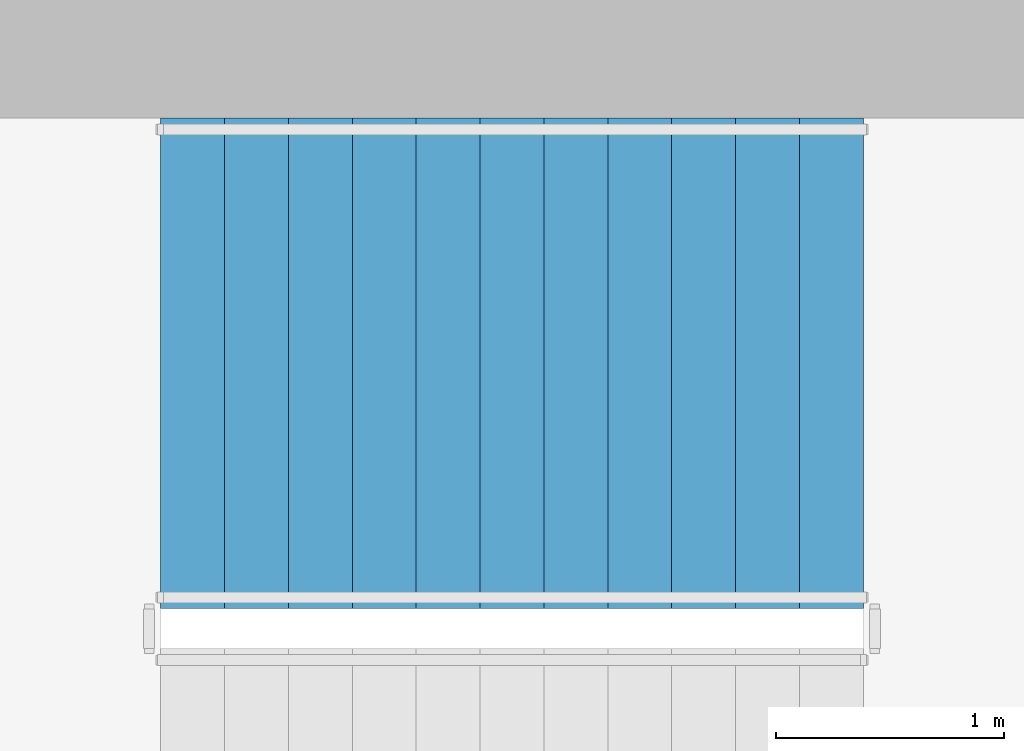
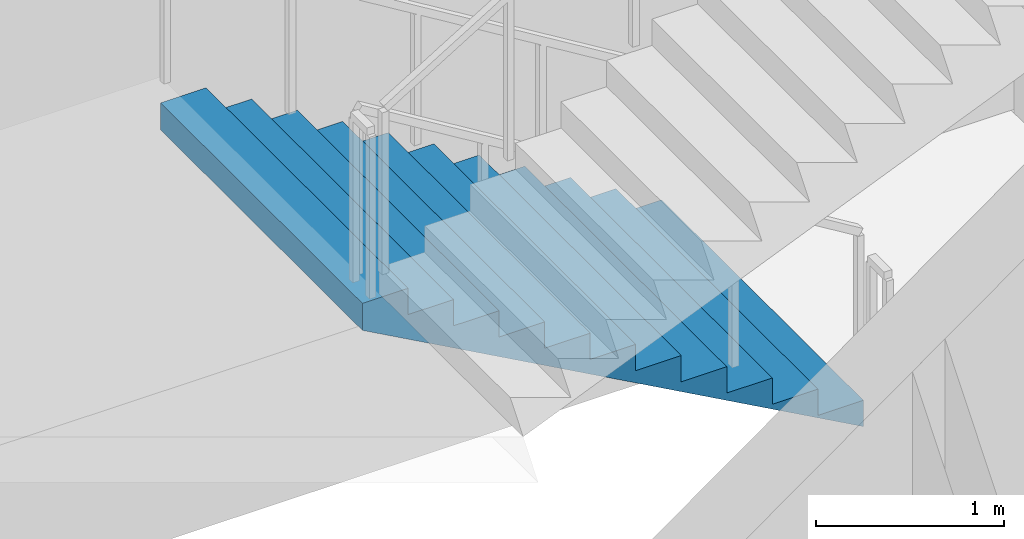
# One storey, part 9 of 15: 1 stair flight, 1 element without a shape of its own.
"""IFC4 building model written with IfcOpenShell, lengths in metres."""

from ifc_helpers import new_model, si_unit, direction, frame, origin, place, context, subcontext, project, spatial, triangles, material, type_object, element, aggregate, save


model = new_model("IFC4")

# Units and contexts
model_context = context("Model", 3, precision=1e-05, world=origin(), true_north=direction((0.0, 1.0)))
body_context = subcontext(model_context, "Body", "Model", "MODEL_VIEW")
ifc_project = project(units=[si_unit("LENGTHUNIT", "METRE"), si_unit("AREAUNIT", "SQUARE_METRE"), si_unit("VOLUMEUNIT", "CUBIC_METRE"), si_unit("PLANEANGLEUNIT", "RADIAN"), si_unit("MASSUNIT", "GRAM", prefix="KILO")], contexts=[model_context])

# Site, building, storey
site_placement = place(None, origin())
site = spatial("IfcSite", under=ifc_project, at=site_placement, CompositionType="ELEMENT")
building_placement = place(site_placement, origin())
building = spatial("IfcBuilding", under=site, at=building_placement, Name="Cypress Arch Tower", CompositionType="ELEMENT")
storey_placement = place(building_placement, frame((0.0, 0.0, 176.89990234375)))
storey = spatial("IfcBuildingStorey", under=building, at=storey_placement, Name="L38", CompositionType="ELEMENT", Elevation=176.89990234375)

# Stair, stair flight
ifc_material_1 = material(Name="Concrete C40/50", Category="concrete")
stair_type = type_object("IfcStairType", Name="Exit stair ES1708-215", PredefinedType="HALF_TURN_STAIR", material=ifc_material_1)
stair_placement = place(storey_placement, origin())
stair = element("IfcStair", 1, at=stair_placement, inside=storey, type_object=stair_type, Name="L38 Exit stair B", PredefinedType="HALF_TURN_STAIR")
ifc_material_2 = material(Name="Concrete C40/50", Category="concrete")
stair_flight_type = type_object("IfcStairFlightType", Name="Exit stair flight ES1708-215", PredefinedType="STRAIGHT", material=ifc_material_2)
stair_flight_placement = place(storey_placement, frame((-22.27490234375, 13.72509765625, 0.0), z_axis=(0.0, 0.0, 1.0), x_axis=(-1.0, 0.0, 0.0)))
stair_flight = element("IfcStairFlight", 2, at=stair_flight_placement, type_object=stair_flight_type, Name="B flight 1", NumberOfRisers=12, NumberOfTreads=11, PredefinedType="STRAIGHT", RiserHeight=0.170833333, TreadLength=0.28, context=body_context, shape_type="Tessellation", body=[
    triangles([(0.0, -1.074951171875, 0.0), (0.000244140625, -1.074951171875, 0.01904296875), (0.000244140625, -1.074951171875, 0.0380859375), (0.00048828125, -1.074951171875, 0.056884765625), (0.00048828125, -1.074951171875, 0.075927734375), (0.00048828125, -1.074951171875, 0.094970703125), (0.00048828125, -1.074951171875, 0.114013671875), (0.000244140625, -1.074951171875, 0.1328125), (0.000244140625, -1.074951171875, 0.15185546875), (0.0, -1.074951171875, 0.1708984375), (0.280029296875, -1.074951171875, 0.1708984375), (0.280029296875, -1.074951171875, 0.341552734375), (0.56005859375, -1.074951171875, 0.341552734375), (0.56005859375, -1.074951171875, 0.512451171875), (0.840087890625, -1.074951171875, 0.512451171875), (0.840087890625, -1.074951171875, 0.683349609375), (1.1201171875, -1.074951171875, 0.683349609375), (1.1201171875, -1.074951171875, 0.854248046875), (1.39990234375, -1.074951171875, 0.854248046875), (1.39990234375, -1.074951171875, 1.02490234375), (1.679931640625, -1.074951171875, 1.02490234375), (1.679931640625, -1.074951171875, 1.19580078125), (1.9599609375, -1.074951171875, 1.19580078125), (1.9599609375, -1.074951171875, 1.36669921875), (2.239990234375, -1.074951171875, 1.36669921875), (2.239990234375, -1.074951171875, 1.53759765625), (2.52001953125, -1.074951171875, 1.53759765625), (2.52001953125, -1.074951171875, 1.708251953125), (2.800048828125, -1.074951171875, 1.708251953125), (2.800048828125, -1.074951171875, 1.879150390625), (3.080078125, -1.074951171875, 1.879150390625), (3.079833984375, -1.074951171875, 1.859619140625), (3.079833984375, -1.074951171875, 1.840087890625), (3.07958984375, -1.074951171875, 1.820556640625), (3.07958984375, -1.074951171875, 1.801025390625), (3.07958984375, -1.074951171875, 1.78173828125), (3.07958984375, -1.074951171875, 1.76220703125), (3.079833984375, -1.074951171875, 1.74267578125), (3.079833984375, -1.074951171875, 1.72314453125), (3.080078125, -1.074951171875, 1.70361328125), (3.080078125, 1.074951171875, 1.70361328125), (3.079833984375, 1.074951171875, 1.72314453125), (3.079833984375, 1.074951171875, 1.74267578125), (3.07958984375, 1.074951171875, 1.76220703125), (3.07958984375, 1.074951171875, 1.78173828125), (3.07958984375, 1.074951171875, 1.801025390625), (3.07958984375, 1.074951171875, 1.820556640625), (3.079833984375, 1.074951171875, 1.840087890625), (3.079833984375, 1.074951171875, 1.859619140625), (3.080078125, 1.074951171875, 1.879150390625), (2.800048828125, 1.074951171875, 1.879150390625), (2.800048828125, 1.074951171875, 1.708251953125), (2.52001953125, 1.074951171875, 1.708251953125), (2.52001953125, 1.074951171875, 1.53759765625), (2.239990234375, 1.074951171875, 1.53759765625), (2.239990234375, 1.074951171875, 1.36669921875), (1.9599609375, 1.074951171875, 1.36669921875), (1.9599609375, 1.074951171875, 1.19580078125), (1.679931640625, 1.074951171875, 1.19580078125), (1.679931640625, 1.074951171875, 1.02490234375), (1.39990234375, 1.074951171875, 1.02490234375), (1.39990234375, 1.074951171875, 0.854248046875), (1.1201171875, 1.074951171875, 0.854248046875), (1.1201171875, 1.074951171875, 0.683349609375), (0.840087890625, 1.074951171875, 0.683349609375), (0.840087890625, 1.074951171875, 0.512451171875), (0.56005859375, 1.074951171875, 0.512451171875), (0.56005859375, 1.074951171875, 0.341552734375), (0.280029296875, 1.074951171875, 0.341552734375), (0.280029296875, 1.074951171875, 0.1708984375), (0.0, 1.074951171875, 0.1708984375), (0.000244140625, 1.074951171875, 0.15185546875), (0.000244140625, 1.074951171875, 0.1328125), (0.00048828125, 1.074951171875, 0.114013671875), (0.00048828125, 1.074951171875, 0.094970703125), (0.00048828125, 1.074951171875, 0.075927734375), (0.00048828125, 1.074951171875, 0.056884765625), (0.000244140625, 1.074951171875, 0.0380859375), (0.000244140625, 1.074951171875, 0.01904296875), (0.0, 1.074951171875, 0.0)], [[40, 39, 30], [39, 38, 30], [38, 37, 30], [37, 36, 30], [36, 35, 30], [35, 34, 30], [34, 33, 30], [33, 32, 30], [32, 31, 30], [19, 18, 17], [27, 26, 25], [25, 24, 23], [23, 22, 21], [17, 16, 15], [15, 14, 13], [10, 9, 11], [9, 8, 11], [8, 7, 11], [7, 6, 11], [6, 5, 11], [5, 4, 11], [4, 3, 11], [3, 2, 11], [2, 1, 11], [29, 28, 27], [21, 20, 19], [13, 12, 11], [40, 30, 29], [40, 29, 27], [40, 27, 25], [40, 25, 23], [40, 23, 21], [40, 21, 19], [40, 19, 17], [40, 17, 15], [40, 15, 13], [1, 40, 13], [13, 11, 1], [41, 51, 42], [42, 51, 43], [43, 51, 44], [44, 51, 45], [45, 51, 46], [46, 51, 47], [47, 51, 48], [48, 51, 49], [49, 51, 50], [62, 64, 63], [54, 56, 55], [56, 58, 57], [58, 60, 59], [64, 66, 65], [66, 68, 67], [71, 70, 72], [72, 70, 73], [73, 70, 74], [74, 70, 75], [75, 70, 76], [76, 70, 77], [77, 70, 78], [78, 70, 79], [79, 70, 80], [52, 54, 53], [60, 62, 61], [68, 70, 69], [41, 52, 51], [41, 54, 52], [41, 56, 54], [41, 58, 56], [41, 60, 58], [41, 62, 60], [41, 64, 62], [41, 66, 64], [41, 68, 66], [80, 68, 41], [68, 80, 70], [41, 42, 39], [41, 39, 40], [42, 43, 38], [42, 38, 39], [43, 44, 37], [43, 37, 38], [44, 45, 36], [44, 36, 37], [45, 46, 35], [45, 35, 36], [46, 47, 34], [46, 34, 35], [47, 48, 33], [47, 33, 34], [48, 49, 32], [48, 32, 33], [49, 50, 31], [49, 31, 32], [50, 51, 30], [50, 30, 31], [51, 52, 29], [51, 29, 30], [52, 53, 28], [52, 28, 29], [53, 54, 27], [53, 27, 28], [54, 55, 26], [54, 26, 27], [55, 56, 25], [55, 25, 26], [56, 57, 24], [56, 24, 25], [57, 58, 23], [57, 23, 24], [58, 59, 22], [58, 22, 23], [59, 60, 21], [59, 21, 22], [60, 61, 20], [60, 20, 21], [61, 62, 19], [61, 19, 20], [62, 63, 18], [62, 18, 19], [63, 64, 17], [63, 17, 18], [64, 65, 16], [64, 16, 17], [65, 66, 15], [65, 15, 16], [66, 67, 14], [66, 14, 15], [67, 68, 13], [67, 13, 14], [68, 69, 12], [68, 12, 13], [69, 70, 11], [69, 11, 12], [70, 71, 10], [70, 10, 11], [71, 72, 9], [71, 9, 10], [72, 73, 8], [72, 8, 9], [73, 74, 7], [73, 7, 8], [74, 75, 6], [74, 6, 7], [75, 76, 5], [75, 5, 6], [76, 77, 4], [76, 4, 5], [77, 78, 3], [77, 3, 4], [78, 79, 2], [78, 2, 3], [79, 80, 1], [79, 1, 2], [80, 41, 40], [80, 40, 1]], closed=True),
])
aggregate(stair, [stair_flight])

save(model, "model.ifc")
